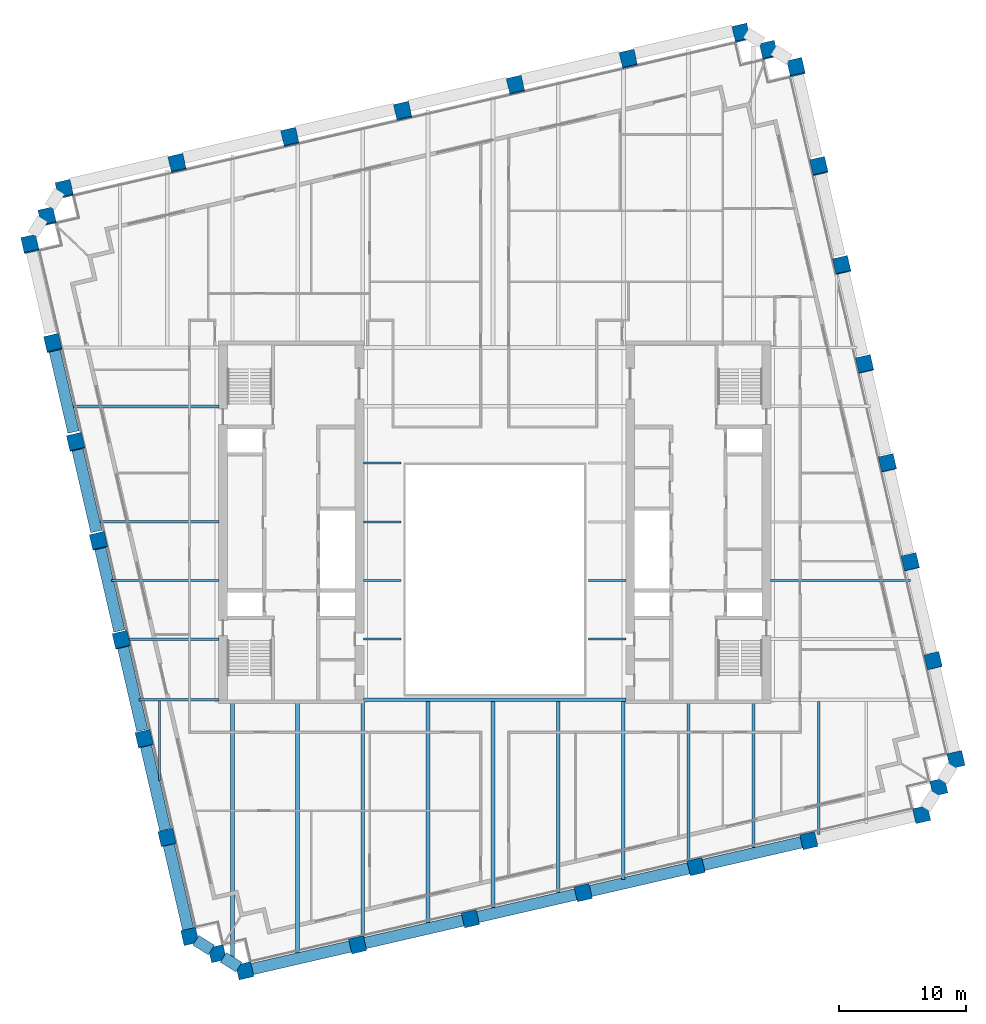
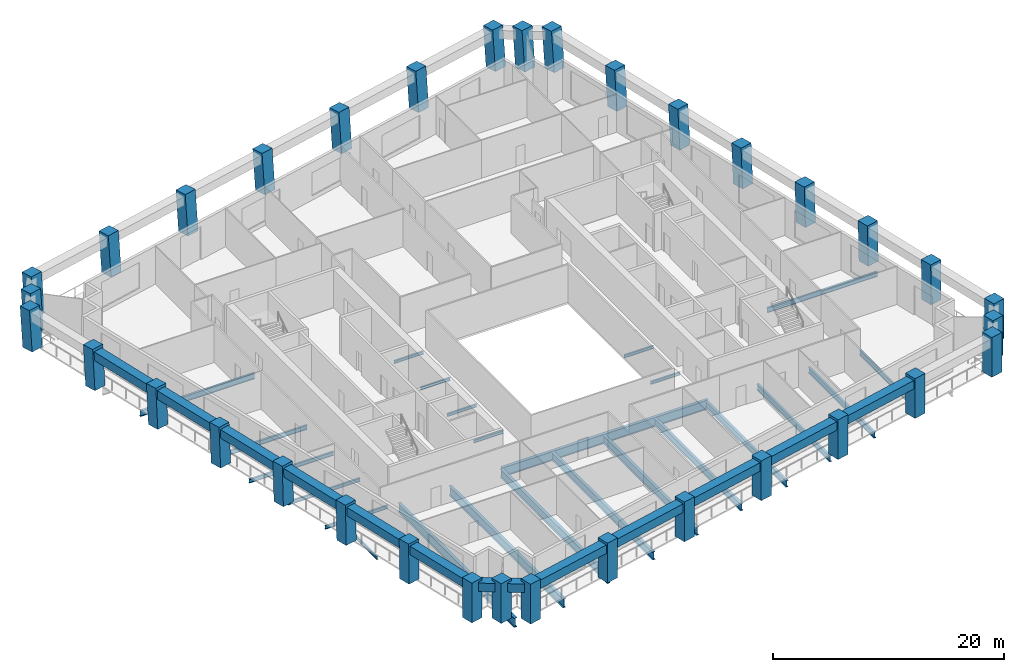
# One storey, part 1 of 10: 37 beams, 34 columns.
"""IFC4 building model written with IfcOpenShell, lengths in metres."""

import ifcopenshell
import ifcopenshell.guid

model = None  # the IFC model being written
_history = None  # IfcOwnerHistory: only IFC2X3 demands one
_inside = {}  # id of a spatial element -> (the spatial element, [elements in it])
_under = {}  # id of a project, library or spatial element -> (it, [spatial elements below it])
_declared = {}  # id of a project -> (the project, [libraries it declares])
_typed = {}  # id of a type object -> (the type object, [elements of that type])
_made_of = {}  # id of a material, layer set ... -> (it, [elements and type objects made of it])


def new_model(schema):
    """Start an empty IFC model of exactly this schema.

    Asked for "IFC4X3", IfcOpenShell would pick the latest addendum, in which some entities
    have other attributes; the version numbers below select the first issue.
    IFC2X3 requires an IfcOwnerHistory on every rooted entity: one is made here for all.
    """
    global model, _history
    if schema == "IFC4X3":
        model = ifcopenshell.file(schema_version=(4, 3, 0, 0))
    else:
        model = ifcopenshell.file(schema=schema)
    _inside.clear()
    _under.clear()
    _declared.clear()
    _typed.clear()
    _made_of.clear()
    _history = None
    if model.schema == "IFC2X3":
        org = make("IfcOrganization", Name="unknown")
        user = make(
            "IfcPersonAndOrganization",
            ThePerson=make("IfcPerson", FamilyName="unknown"),
            TheOrganization=org,
        )
        app = make(
            "IfcApplication",
            ApplicationDeveloper=org,
            Version="unknown",
            ApplicationFullName="unknown",
            ApplicationIdentifier="unknown",
        )
        _history = make(
            "IfcOwnerHistory",
            OwningUser=user,
            OwningApplication=app,
            ChangeAction="ADDED",
            CreationDate=0,
        )
    return model


def make(cls, **values):
    """One entity of the class cls with the attributes given. An attribute that is None is left unset."""
    return model.create_entity(
        cls, **{name: value for name, value in values.items() if value is not None}
    )


def rooted(cls, **values):
    """An entity with a GlobalId (a new one), such as an element, a storey or a relation."""
    return make(cls, GlobalId=ifcopenshell.guid.new(), OwnerHistory=_history, **values)


def si_unit(unit_type, name, prefix=None):
    """IfcSIUnit, for example si_unit("LENGTHUNIT", "METRE", prefix="MILLI")."""
    return make("IfcSIUnit", UnitType=unit_type, Prefix=prefix, Name=name)


def assignment(units):
    """IfcUnitAssignment: the units of a project."""
    return None if units is None else make("IfcUnitAssignment", Units=units)


def point(xyz):
    """IfcCartesianPoint."""
    return None if xyz is None else make("IfcCartesianPoint", Coordinates=xyz)


def direction(xyz):
    """IfcDirection."""
    return None if xyz is None else make("IfcDirection", DirectionRatios=xyz)


def frame(location, z_axis=None, x_axis=None):
    """IfcAxis2Placement3D, a coordinate frame: its origin and axes. An axis left out is left unset."""
    return make(
        "IfcAxis2Placement3D",
        Location=point(location),
        Axis=direction(z_axis),
        RefDirection=direction(x_axis),
    )


def frame_2d(location, x_axis=None):
    """IfcAxis2Placement2D, a coordinate frame in the plane: its origin and x axis."""
    return make(
        "IfcAxis2Placement2D", Location=point(location), RefDirection=direction(x_axis)
    )


def origin():
    """The frame at (0, 0, 0) with its axes left unset."""
    return frame((0.0, 0.0, 0.0))


def origin_2d():
    """The frame at (0, 0) in the plane with its x axis left unset."""
    return frame_2d((0.0, 0.0))


def place(relative_to, where):
    """IfcLocalPlacement: puts the frame where relative to a parent placement (None: the world)."""
    return make(
        "IfcLocalPlacement", PlacementRelTo=relative_to, RelativePlacement=where
    )


def context(
    kind, dimensions, precision=None, world=None, true_north=None, identifier=None
):
    """IfcGeometricRepresentationContext, for example the 3D "Model" context."""
    return make(
        "IfcGeometricRepresentationContext",
        ContextIdentifier=identifier,
        ContextType=kind,
        CoordinateSpaceDimension=dimensions,
        Precision=precision,
        WorldCoordinateSystem=world,
        TrueNorth=true_north,
    )


def subcontext(parent, identifier, kind, view, scale=None):
    """IfcGeometricRepresentationSubContext, for example "Body" below "Model"."""
    return make(
        "IfcGeometricRepresentationSubContext",
        ContextIdentifier=identifier,
        ContextType=kind,
        ParentContext=parent,
        TargetScale=scale,
        TargetView=view,
    )


def project(units=None, contexts=None):
    """IfcProject with its units and contexts."""
    return rooted(
        "IfcProject",
        Name="project",
        RepresentationContexts=contexts,
        UnitsInContext=assignment(units),
    )


def spatial(cls, under=None, at=None, **own):
    """A site, building, storey or space (cls), placed at a placement, below another one or the project."""
    s = rooted(cls, ObjectPlacement=at, **own)
    if under is not None:
        _under.setdefault(under.id(), (under, []))[1].append(s)
    return s


def profile(cls, at=None, kind="AREA", **sizes):
    """A parametric profile (cls). Its sizes go by their IFC names, for example OverallWidth=200.0."""
    return make(cls, ProfileType=kind, Position=at, **sizes)


def rectangle(**sizes):
    """IfcRectangleProfileDef."""
    return profile("IfcRectangleProfileDef", **sizes)


def i_section(**sizes):
    """IfcIShapeProfileDef."""
    return profile("IfcIShapeProfileDef", **sizes)


def extrude(swept, where, along, depth):
    """IfcExtrudedAreaSolid: the profile swept, set in the frame where, extruded along a direction by depth."""
    return make(
        "IfcExtrudedAreaSolid",
        SweptArea=swept,
        Position=where,
        ExtrudedDirection=direction(along),
        Depth=depth,
    )


def shape(context_of_items, identifier, shape_type, items):
    """IfcShapeRepresentation: the items that make up one representation, for example the "Body"."""
    return make(
        "IfcShapeRepresentation",
        ContextOfItems=context_of_items,
        RepresentationIdentifier=identifier,
        RepresentationType=shape_type,
        Items=items,
    )


def material(Name=None, Category=None):
    """IfcMaterial."""
    return make("IfcMaterial", Name=Name, Category=Category)


def material_profile(
    of_material, cross_section, Name=None, Category=None, Priority=None
):
    """IfcMaterialProfile: a cross section and its material."""
    return make(
        "IfcMaterialProfile",
        Name=Name,
        Material=of_material,
        Profile=cross_section,
        Priority=Priority,
        Category=Category,
    )


def profile_set(profiles, Name=None, composite=None):
    """IfcMaterialProfileSet."""
    return make(
        "IfcMaterialProfileSet",
        Name=Name,
        MaterialProfiles=profiles,
        CompositeProfile=composite,
    )


def made_of(thing, what):
    """Note that an element or type object is made of a material, layer set ...; save() writes the relation."""
    if what is not None:
        _made_of.setdefault(what.id(), (what, []))[1].append(thing)
    return thing


def type_object(cls, material=None, **own):
    """A type object (cls), such as IfcWallType, which elements share."""
    return made_of(rooted(cls, **own), material)


def element(
    cls,
    number,
    at=None,
    inside=None,
    cuts=None,
    type_object=None,
    material=None,
    context=None,
    identifier="Body",
    shape_type=None,
    held_by="IfcProductDefinitionShape",
    body=None,
    shapes=None,
    **own,
):
    """One element of the class cls, such as IfcWall. Its Tag is "e" and its number.

    at: its placement. inside: the storey or other place that contains it. cuts: it is an
    opening in that element (IfcRelVoidsElement). A single representation is given by context,
    identifier, shape_type and body (its items); several are given by shapes. held_by: the class
    of the entity that holds the representations. save() writes the other relations.
    """
    e = rooted(cls, Tag="e%d" % number, ObjectPlacement=at, **own)
    if body is not None:
        shapes = [shape(context, identifier, shape_type, body)]
    if shapes is not None:
        e.Representation = make(held_by, Representations=shapes)
    if inside is not None:
        _inside.setdefault(inside.id(), (inside, []))[1].append(e)
    if cuts is not None:
        rooted(
            "IfcRelVoidsElement", RelatingBuildingElement=cuts, RelatedOpeningElement=e
        )
    if type_object is not None:
        _typed.setdefault(type_object.id(), (type_object, []))[1].append(e)
    return made_of(e, material)


def aggregate(whole, parts):
    """IfcRelAggregates: a whole, such as a stair, and the parts it consists of."""
    return rooted("IfcRelAggregates", RelatingObject=whole, RelatedObjects=parts)


def save(model, path):
    """Write the relations noted so far, then the file.

    IfcRelAggregates (storeys below a building ...), IfcRelContainedInSpatialStructure (elements
    in a storey), IfcRelDefinesByType, IfcRelAssociatesMaterial and IfcRelDeclares: one each for
    every whole, place, type object, material and project.
    """
    for whole, parts in _under.values():
        aggregate(whole, parts)
    for where, things in _inside.values():
        rooted(
            "IfcRelContainedInSpatialStructure",
            RelatedElements=things,
            RelatingStructure=where,
        )
    for kind, things in _typed.values():
        rooted("IfcRelDefinesByType", RelatedObjects=things, RelatingType=kind)
    for what, things in _made_of.values():
        rooted("IfcRelAssociatesMaterial", RelatedObjects=things, RelatingMaterial=what)
    for by, libraries in _declared.values():
        rooted("IfcRelDeclares", RelatingContext=by, RelatedDefinitions=libraries)
    model.write(path)


model = new_model("IFC4")

# Units and contexts
model_context = context("Model", 3, precision=1e-05, world=origin(), true_north=direction((0.0, 1.0)))
body_context = subcontext(model_context, "Body", "Model", "MODEL_VIEW")
ifc_project = project(units=[si_unit("LENGTHUNIT", "METRE"), si_unit("AREAUNIT", "SQUARE_METRE"), si_unit("VOLUMEUNIT", "CUBIC_METRE"), si_unit("PLANEANGLEUNIT", "RADIAN"), si_unit("MASSUNIT", "GRAM", prefix="KILO")], contexts=[model_context])

# Site, building, storey
site_placement = place(None, origin())
site = spatial("IfcSite", under=ifc_project, at=site_placement, CompositionType="ELEMENT")
building_placement = place(site_placement, origin())
building = spatial("IfcBuilding", under=site, at=building_placement, Name="Ogive Exchange Tower", CompositionType="ELEMENT")
storey_placement = place(building_placement, frame((0.0, 0.0, 180.0)))
storey = spatial("IfcBuildingStorey", under=building, at=storey_placement, Name="L39", CompositionType="ELEMENT", Elevation=180.0)

# Columns
ifc_material_1 = material(Name="Precast concrete C70/85 (limestone faced)", Category="masonry")
ifc_material_profile_1 = material_profile(ifc_material_1, rectangle(XDim=1.199951171875, YDim=1.199951171875, at=origin_2d()), Name="1200 x 1200")
ifc_profile_set_1 = profile_set([ifc_material_profile_1], Name="Precast concrete C70/85 (limestone faced)")
column_type = type_object("IfcColumnType", Name="Precast exoskeleton leg 1200 x 1200 C70/85", PredefinedType="COLUMN", material=ifc_profile_set_1)
for number, where, z_axis, x_axis, name in (
    (1, (-19.6494140625, -23.749267578125, 0.0), (0.0, 0.0, 1.0), (0.974370064785, 0.224951054344, 0.0), "Exoskeleton leg 1"),
    (2, (-10.782470703125, -21.7021484375, 0.0), (0.0, 0.0, 1.0), (0.974370064785, 0.224951054344, 0.0), "Exoskeleton leg 2"),
    (3, (-1.915771484375, -19.655029296875, 0.0), (0.0, 0.0, 1.0), (0.974370064785, 0.224951054344, 0.0), "Exoskeleton leg 3"),
    (4, (6.950927734375, -17.60791015625, 0.0), (0.0, 0.0, 1.0), (0.974370064785, 0.224951054344, 0.0), "Exoskeleton leg 4"),
    (5, (15.81787109375, -15.56103515625, 0.0), (0.0, 0.0, 1.0), (0.974370064785, 0.224951054344, 0.0), "Exoskeleton leg 5"),
    (6, (24.6845703125, -13.513916015625, 0.0), (0.0, 0.0, 1.0), (0.974370064785, 0.224951054344, 0.0), "Exoskeleton leg 6"),
    (7, (33.55126953125, -11.466796875, 0.0), (0.0, 0.0, 1.0), (0.974370064785, 0.224951054344, 0.0), "Exoskeleton leg 7"),
    (8, (36.249267578125, -7.1494140625, 0.0), (0.0, 0.0, 1.0), (0.974370064785, 0.224951054344, 0.0), "Exoskeleton leg 8"),
):
    element("IfcColumn", number, at=place(storey_placement, frame(where, z_axis=z_axis, x_axis=x_axis)), inside=storey, type_object=column_type, Name=name, PredefinedType="COLUMN", context=body_context, shape_type="SweptSolid", body=[
        extrude(rectangle(XDim=1.199951171875, YDim=1.199951171875, at=origin_2d()), origin(), (0.0, 0.0, 1.0), 4.199951171875),
    ])
column_1_placement = place(storey_placement, frame((34.455810546875, 0.619140625, 0.0), z_axis=(-0.002731884952, 0.01168316756, 0.999928017609), x_axis=(-0.973733900744, -0.227689021567, 0.0)))
element("IfcColumn", 9, at=column_1_placement, inside=storey, type_object=column_type, Name="Exoskeleton leg 9", PredefinedType="COLUMN", context=body_context, shape_type="SweptSolid", body=[
    extrude(rectangle(XDim=1.199951171875, YDim=1.199951171875, at=origin_2d()), origin(), (0.0, 0.0, 1.0), 4.2001953125),
])
column_2_placement = place(storey_placement, frame((32.662109375, 8.3876953125, 0.0), z_axis=(-0.005404472139, 0.023419379268, 0.999711120452), x_axis=(-0.974391195695, -0.224859506699, 0.0)))
element("IfcColumn", 10, at=column_2_placement, inside=storey, type_object=column_type, Name="Exoskeleton leg 10", PredefinedType="COLUMN", context=body_context, shape_type="SweptSolid", body=[
    extrude(rectangle(XDim=1.199951171875, YDim=1.199951171875, at=origin_2d()), origin(), (0.0, 0.0, 1.0), 4.201171875),
])
column_3_placement = place(storey_placement, frame((30.86865234375, 16.15625, 0.0), z_axis=(-0.0080747472, 0.035087390713, 0.999351626541), x_axis=(-0.974526982896, -0.224270282488, 0.0)))
element("IfcColumn", 11, at=column_3_placement, inside=storey, type_object=column_type, Name="Exoskeleton leg 11", PredefinedType="COLUMN", context=body_context, shape_type="SweptSolid", body=[
    extrude(rectangle(XDim=1.199951171875, YDim=1.199951171875, at=origin_2d()), origin(), (0.0, 0.0, 1.0), 4.20263671875),
])
column_4_placement = place(storey_placement, frame((29.0751953125, 23.9248046875, 0.0), z_axis=(-0.010799619665, 0.046740289408, 0.998848694028), x_axis=(-0.974329962248, -0.225124686929, 0.0)))
element("IfcColumn", 12, at=column_4_placement, inside=storey, type_object=column_type, Name="Exoskeleton leg 12", PredefinedType="COLUMN", context=body_context, shape_type="SweptSolid", body=[
    extrude(rectangle(XDim=1.199951171875, YDim=1.199951171875, at=origin_2d()), origin(), (0.0, 0.0, 1.0), 4.204833984375),
])
column_5_placement = place(storey_placement, frame((27.28173828125, 31.693359375, 0.0), z_axis=(-0.013461799865, 0.058373149415, 0.998204064995), x_axis=(-0.974423835271, -0.224718021653, 0.0)))
element("IfcColumn", 13, at=column_5_placement, inside=storey, type_object=column_type, Name="Exoskeleton leg 13", PredefinedType="COLUMN", context=body_context, shape_type="SweptSolid", body=[
    extrude(rectangle(XDim=1.199951171875, YDim=1.199951171875, at=origin_2d()), origin(), (0.0, 0.0, 1.0), 4.20751953125),
])
column_6_placement = place(storey_placement, frame((25.48828125, 39.4619140625, 0.0), z_axis=(-0.016176212764, 0.069980963462, 0.99741716192), x_axis=(-0.974309502923, -0.225213215672, 0.0)))
element("IfcColumn", 14, at=column_6_placement, inside=storey, type_object=column_type, Name="Exoskeleton leg 14", PredefinedType="COLUMN", context=body_context, shape_type="SweptSolid", body=[
    extrude(rectangle(XDim=1.199951171875, YDim=1.199951171875, at=origin_2d()), origin(), (0.0, 0.0, 1.0), 4.2109375),
])
for number, where, z_axis, x_axis, name in (
    (15, (23.694580078125, 47.23046875, 0.0), (-0.018825755928, 0.08155896722, 0.996490705315), (-0.974379530941, -0.22491004798, 0.0), "Exoskeleton leg 15"),
    (16, (19.377197265625, 49.92822265625, 0.0), (-0.018883571463, 0.081616417765, 0.996484907603), (-0.974262845894, -0.225414966474, 0.0), "Exoskeleton leg 16"),
    (17, (10.51025390625, 47.881103515625, 0.0), (-0.018825666958, 0.081616506903, 0.99648599592), (-0.974414501624, -0.224758490439, 0.0), "Exoskeleton leg 17"),
    (18, (1.6435546875, 45.834228515625, 0.0), (-0.018825755928, 0.08155896722, 0.996490705315), (-0.974379530941, -0.22491004798, 0.0), "Exoskeleton leg 18"),
    (19, (-7.22314453125, 43.787109375, 0.0), (-0.018825666958, 0.081616506903, 0.99648599592), (-0.974414501624, -0.224758490439, 0.0), "Exoskeleton leg 19"),
    (20, (-16.090087890625, 41.739990234375, 0.0), (-0.018825666958, 0.081616506903, 0.99648599592), (-0.974414501624, -0.224758490439, 0.0), "Exoskeleton leg 20"),
    (21, (-24.956787109375, 39.693115234375, 0.0), (-0.018825755928, 0.08155896722, 0.996490705315), (-0.974379530941, -0.22491004798, 0.0), "Exoskeleton leg 21"),
    (22, (-33.823486328125, 37.64599609375, 0.0), (-0.018825755928, 0.08155896722, 0.996490705315), (-0.974379530941, -0.22491004798, 0.0), "Exoskeleton leg 22"),
    (23, (-36.521484375, 33.328369140625, 0.0), (-0.018825666958, 0.081616506903, 0.99648599592), (-0.974414501624, -0.224758490439, 0.0), "Exoskeleton leg 23"),
):
    element("IfcColumn", number, at=place(storey_placement, frame(where, z_axis=z_axis, x_axis=x_axis)), inside=storey, type_object=column_type, Name=name, PredefinedType="COLUMN", context=body_context, shape_type="SweptSolid", body=[
        extrude(rectangle(XDim=1.199951171875, YDim=1.199951171875, at=origin_2d()), origin(), (0.0, 0.0, 1.0), 4.21484375),
    ])
column_7_placement = place(storey_placement, frame((-34.727783203125, 25.559814453125, 0.0), z_axis=(-0.016176212764, 0.069980963462, 0.99741716192), x_axis=(-0.974309502923, -0.225213215672, 0.0)))
element("IfcColumn", 24, at=column_7_placement, inside=storey, type_object=column_type, Name="Exoskeleton leg 24", PredefinedType="COLUMN", context=body_context, shape_type="SweptSolid", body=[
    extrude(rectangle(XDim=1.199951171875, YDim=1.199951171875, at=origin_2d()), origin(), (0.0, 0.0, 1.0), 4.2109375),
])
column_8_placement = place(storey_placement, frame((-32.934326171875, 17.791259765625, 0.0), z_axis=(-0.013519768466, 0.058430930665, 0.998199900923), x_axis=(-0.974260583886, -0.225424742845, 0.0)))
element("IfcColumn", 25, at=column_8_placement, inside=storey, type_object=column_type, Name="Exoskeleton leg 25", PredefinedType="COLUMN", context=body_context, shape_type="SweptSolid", body=[
    extrude(rectangle(XDim=1.199951171875, YDim=1.199951171875, at=origin_2d()), origin(), (0.0, 0.0, 1.0), 4.20751953125),
])
column_9_placement = place(storey_placement, frame((-31.140869140625, 10.022705078125, 0.0), z_axis=(-0.010799619665, 0.046740289408, 0.998848694028), x_axis=(-0.974329962248, -0.225124686929, 0.0)))
element("IfcColumn", 26, at=column_9_placement, inside=storey, type_object=column_type, Name="Exoskeleton leg 26", PredefinedType="COLUMN", context=body_context, shape_type="SweptSolid", body=[
    extrude(rectangle(XDim=1.199951171875, YDim=1.199951171875, at=origin_2d()), origin(), (0.0, 0.0, 1.0), 4.204833984375),
])
column_10_placement = place(storey_placement, frame((-29.347412109375, 2.25439453125, 0.0), z_axis=(-0.008074763646, 0.035029370347, 0.999353661826), x_axis=(-0.974445638882, -0.224623455729, 0.0)))
element("IfcColumn", 27, at=column_10_placement, inside=storey, type_object=column_type, Name="Exoskeleton leg 27", PredefinedType="COLUMN", context=body_context, shape_type="SweptSolid", body=[
    extrude(rectangle(XDim=1.199951171875, YDim=1.199951171875, at=origin_2d()), origin(), (0.0, 0.0, 1.0), 4.20263671875),
])
column_11_placement = place(storey_placement, frame((-27.553955078125, -5.51416015625, 0.0), z_axis=(-0.005404479485, 0.023361298418, 0.999712479335), x_axis=(-0.974268511785, -0.225390476607, 0.0)))
element("IfcColumn", 28, at=column_11_placement, inside=storey, type_object=column_type, Name="Exoskeleton leg 28", PredefinedType="COLUMN", context=body_context, shape_type="SweptSolid", body=[
    extrude(rectangle(XDim=1.199951171875, YDim=1.199951171875, at=origin_2d()), origin(), (0.0, 0.0, 1.0), 4.201171875),
])
column_12_placement = place(storey_placement, frame((-25.760498046875, -13.28271484375, 0.0), z_axis=(-0.00267376016, 0.011683169396, 0.9999281747), x_axis=(-0.974798272484, -0.223088161862, 0.0)))
element("IfcColumn", 29, at=column_12_placement, inside=storey, type_object=column_type, Name="Exoskeleton leg 29", PredefinedType="COLUMN", context=body_context, shape_type="SweptSolid", body=[
    extrude(rectangle(XDim=1.199951171875, YDim=1.199951171875, at=origin_2d()), origin(), (0.0, 0.0, 1.0), 4.2001953125),
])
for number, where, z_axis, x_axis, name in (
    (30, (-23.966796875, -21.05126953125, 0.0), (0.0, 0.0, 1.0), (0.974370064785, 0.224951054344, 0.0), "Exoskeleton leg 30"),
    (31, (34.900146484375, -9.30810546875, 0.0), (0.0, 0.0, 1.0), (0.974370064785, 0.224951054344, 0.0), "Exoskeleton leg 31"),
):
    element("IfcColumn", number, at=place(storey_placement, frame(where, z_axis=z_axis, x_axis=x_axis)), inside=storey, type_object=column_type, Name=name, PredefinedType="COLUMN", context=body_context, shape_type="SweptSolid", body=[
        extrude(rectangle(XDim=1.199951171875, YDim=1.199951171875, at=origin_2d()), origin(), (0.0, 0.0, 1.0), 4.199951171875),
    ])
for number, where, z_axis, x_axis, name in (
    (32, (21.535888671875, 48.579345703125, 0.0), (-0.018825755928, 0.08155896722, 0.996490705315), (-0.974379530941, -0.22491004798, 0.0), "Exoskeleton leg 32"),
    (33, (-35.172607421875, 35.4873046875, 0.0), (-0.01876785096, 0.081559056022, 0.996491790308), (-0.974530989946, -0.224252869846, 0.0), "Exoskeleton leg 33"),
):
    element("IfcColumn", number, at=place(storey_placement, frame(where, z_axis=z_axis, x_axis=x_axis)), inside=storey, type_object=column_type, Name=name, PredefinedType="COLUMN", context=body_context, shape_type="SweptSolid", body=[
        extrude(rectangle(XDim=1.199951171875, YDim=1.199951171875, at=origin_2d()), origin(), (0.0, 0.0, 1.0), 4.21484375),
    ])
column_13_placement = place(storey_placement, frame((-21.80810546875, -22.400146484375, 0.0), z_axis=(0.0, 0.0, 1.0), x_axis=(0.974370064785, 0.224951054344, 0.0)))
element("IfcColumn", 34, at=column_13_placement, inside=storey, type_object=column_type, Name="Exoskeleton leg 34", PredefinedType="COLUMN", context=body_context, shape_type="SweptSolid", body=[
    extrude(rectangle(XDim=1.199951171875, YDim=1.199951171875, at=origin_2d()), origin(), (0.0, 0.0, 1.0), 4.199951171875),
])

# Beams
ifc_material_2 = material(Name="Steel ASTM A992 Gr50", Category="steel")
ifc_material_profile_2 = material_profile(ifc_material_2, i_section(OverallWidth=0.300048828125, OverallDepth=0.969970703125, WebThickness=0.01611328125, FlangeThickness=0.02099609375, at=origin_2d()), Name="W1000x222")
ifc_profile_set_2 = profile_set([ifc_material_profile_2], Name="Steel ASTM A992 Gr50")
beam_type_1 = type_object("IfcBeamType", Name="Floor beam W1000x222", PredefinedType="JOIST", material=ifc_profile_set_2)
beam_1_placement = place(storey_placement, frame((-20.619384765625, -22.762451171875, -0.68505859375), z_axis=(0.0, 1.0, 0.0), x_axis=(-1.0, 0.0, 0.0)))
element("IfcBeam", 35, at=beam_1_placement, inside=storey, type_object=beam_type_1, Name="Floor beam", PredefinedType="JOIST", context=body_context, shape_type="SweptSolid", body=[
    extrude(i_section(OverallWidth=0.300048828125, OverallDepth=0.969970703125, WebThickness=0.01611328125, FlangeThickness=0.02099609375, at=origin_2d()), origin(), (0.0, 0.0, 1.0), 20.162353515625),
])
beam_2_placement = place(storey_placement, frame((-15.49853515625, -22.3291015625, -0.68505859375), z_axis=(0.0, 1.0, 0.0), x_axis=(-1.0, 0.0, 0.0)))
element("IfcBeam", 36, at=beam_2_placement, inside=storey, type_object=beam_type_1, Name="Floor beam", PredefinedType="JOIST", context=body_context, shape_type="SweptSolid", body=[
    extrude(i_section(OverallWidth=0.300048828125, OverallDepth=0.969970703125, WebThickness=0.01611328125, FlangeThickness=0.02099609375, at=origin_2d()), origin(), (0.0, 0.0, 1.0), 19.72900390625),
])
ifc_material_profile_3 = material_profile(ifc_material_2, i_section(OverallWidth=0.1650390625, OverallDepth=0.31005859375, WebThickness=0.005859375, FlangeThickness=0.009765625, at=origin_2d()), Name="W310x38.7")
ifc_profile_set_3 = profile_set([ifc_material_profile_3], Name="Steel ASTM A992 Gr50")
beam_type_2 = type_object("IfcBeamType", Name="Floor beam W310x38.7", PredefinedType="JOIST", material=ifc_profile_set_3)
for number, where, z_axis, x_axis, name in (
    (37, (-10.320068359375, 2.3212890625, -0.35498046875), (1.0, 0.0, 0.0), (0.0, 1.0, 0.0), "Floor beam"),
    (38, (7.3701171875, 2.3212890625, -0.35498046875), (1.0, 0.0, 0.0), (0.0, 1.0, 0.0), "Floor beam"),
    (39, (-10.320068359375, 6.9326171875, -0.35498046875), (1.0, 0.0, 0.0), (0.0, 1.0, 0.0), "Floor beam"),
    (40, (7.3701171875, 6.9326171875, -0.35498046875), (1.0, 0.0, 0.0), (0.0, 1.0, 0.0), "Floor beam"),
    (41, (-10.320068359375, 11.543701171875, -0.35498046875), (1.0, 0.0, 0.0), (0.0, 1.0, 0.0), "Floor beam"),
):
    element("IfcBeam", number, at=place(storey_placement, frame(where, z_axis=z_axis, x_axis=x_axis)), inside=storey, type_object=beam_type_2, Name=name, PredefinedType="JOIST", context=body_context, shape_type="SweptSolid", body=[
        extrude(i_section(OverallWidth=0.1650390625, OverallDepth=0.31005859375, WebThickness=0.005859375, FlangeThickness=0.009765625, at=origin_2d()), origin(), (0.0, 0.0, 1.0), 2.949951171875),
    ])
beam_3_placement = place(storey_placement, frame((-26.340087890625, -8.771240234375, -0.35498046875), z_axis=(0.0, 1.0, 0.0), x_axis=(-1.0, 0.0, 0.0)))
element("IfcBeam", 42, at=beam_3_placement, inside=storey, type_object=beam_type_2, Name="Floor beam", PredefinedType="JOIST", context=body_context, shape_type="SweptSolid", body=[
    extrude(i_section(OverallWidth=0.1650390625, OverallDepth=0.31005859375, WebThickness=0.005859375, FlangeThickness=0.009765625, at=origin_2d()), origin(), (0.0, 0.0, 1.0), 6.24072265625),
])
ifc_material_profile_4 = material_profile(ifc_material_2, i_section(OverallWidth=0.1708984375, OverallDepth=0.35595703125, WebThickness=0.00732421875, FlangeThickness=0.01171875, at=origin_2d()), Name="W360x51")
ifc_profile_set_4 = profile_set([ifc_material_profile_4], Name="Steel ASTM A992 Gr50")
beam_type_3 = type_object("IfcBeamType", Name="Floor beam W360x51", PredefinedType="JOIST", material=ifc_profile_set_4)
beam_4_placement = place(storey_placement, frame((-28.90087890625, 2.3212890625, -0.3779296875), z_axis=(1.0, 0.0, 0.0), x_axis=(0.0, 1.0, 0.0)))
element("IfcBeam", 43, at=beam_4_placement, inside=storey, type_object=beam_type_3, Name="Floor beam", PredefinedType="JOIST", context=body_context, shape_type="SweptSolid", body=[
    extrude(i_section(OverallWidth=0.1708984375, OverallDepth=0.35595703125, WebThickness=0.00732421875, FlangeThickness=0.01171875, at=origin_2d()), origin(), (0.0, 0.0, 1.0), 7.220947265625),
])
ifc_material_profile_5 = material_profile(ifc_material_2, i_section(OverallWidth=0.177978515625, OverallDepth=0.406005859375, WebThickness=0.0078125, FlangeThickness=0.0126953125, at=origin_2d()), Name="W410x60")
ifc_profile_set_5 = profile_set([ifc_material_profile_5], Name="Steel ASTM A992 Gr50")
beam_type_4 = type_object("IfcBeamType", Name="Floor beam W410x60", PredefinedType="JOIST", material=ifc_profile_set_5)
beam_5_placement = place(storey_placement, frame((-30.115478515625, 6.9326171875, -0.403076171875), z_axis=(1.0, 0.0, 0.0), x_axis=(0.0, 1.0, 0.0)))
element("IfcBeam", 44, at=beam_5_placement, inside=storey, type_object=beam_type_4, Name="Floor beam", PredefinedType="JOIST", context=body_context, shape_type="SweptSolid", body=[
    extrude(i_section(OverallWidth=0.177978515625, OverallDepth=0.406005859375, WebThickness=0.0078125, FlangeThickness=0.0126953125, at=origin_2d()), origin(), (0.0, 0.0, 1.0), 8.435546875),
])
ifc_material_profile_6 = material_profile(ifc_material_2, i_section(OverallWidth=0.19091796875, OverallDepth=0.45703125, WebThickness=0.009033203125, FlangeThickness=0.014404296875, at=origin_2d()), Name="W460x74")
ifc_profile_set_6 = profile_set([ifc_material_profile_6], Name="Steel ASTM A992 Gr50")
beam_type_5 = type_object("IfcBeamType", Name="Floor beam W460x74", PredefinedType="JOIST", material=ifc_profile_set_6)
beam_6_placement = place(storey_placement, frame((-31.0302734375, 11.543701171875, -0.428466796875), z_axis=(1.0, 0.0, 0.0), x_axis=(0.0, 1.0, 0.0)))
element("IfcBeam", 45, at=beam_6_placement, inside=storey, type_object=beam_type_5, Name="Floor beam", PredefinedType="JOIST", context=body_context, shape_type="SweptSolid", body=[
    extrude(i_section(OverallWidth=0.19091796875, OverallDepth=0.45703125, WebThickness=0.009033203125, FlangeThickness=0.014404296875, at=origin_2d()), origin(), (0.0, 0.0, 1.0), 9.350341796875),
])
ifc_material_profile_7 = material_profile(ifc_material_2, i_section(OverallWidth=0.1669921875, OverallDepth=0.535888671875, WebThickness=0.01025390625, FlangeThickness=0.0166015625, at=origin_2d()), Name="W530x85")
ifc_profile_set_7 = profile_set([ifc_material_profile_7], Name="Steel ASTM A992 Gr50")
beam_type_6 = type_object("IfcBeamType", Name="Floor beam W530x85", PredefinedType="JOIST", material=ifc_profile_set_7)
beam_7_placement = place(storey_placement, frame((21.679931640625, 6.9326171875, -0.468017578125), z_axis=(1.0, 0.0, 0.0), x_axis=(0.0, 1.0, 0.0)))
element("IfcBeam", 46, at=beam_7_placement, inside=storey, type_object=beam_type_6, Name="Floor beam", PredefinedType="JOIST", context=body_context, shape_type="SweptSolid", body=[
    extrude(i_section(OverallWidth=0.1669921875, OverallDepth=0.535888671875, WebThickness=0.01025390625, FlangeThickness=0.0166015625, at=origin_2d()), origin(), (0.0, 0.0, 1.0), 11.00634765625),
])
beam_8_placement = place(storey_placement, frame((25.468017578125, -13.021240234375, -0.468017578125), z_axis=(0.0, 1.0, 0.0), x_axis=(-1.0, 0.0, 0.0)))
element("IfcBeam", 47, at=beam_8_placement, inside=storey, type_object=beam_type_6, Name="Floor beam", PredefinedType="JOIST", context=body_context, shape_type="SweptSolid", body=[
    extrude(i_section(OverallWidth=0.1669921875, OverallDepth=0.535888671875, WebThickness=0.01025390625, FlangeThickness=0.0166015625, at=origin_2d()), origin(), (0.0, 0.0, 1.0), 10.442626953125),
])
ifc_material_profile_8 = material_profile(ifc_material_2, i_section(OverallWidth=0.22802734375, OverallDepth=0.60205078125, WebThickness=0.010498046875, FlangeThickness=0.014892578125, at=origin_2d()), Name="W610x101")
ifc_profile_set_8 = profile_set([ifc_material_profile_8], Name="Steel ASTM A992 Gr50")
beam_type_7 = type_object("IfcBeamType", Name="Floor beam W610x101", PredefinedType="JOIST", material=ifc_profile_set_8)
beam_9_placement = place(storey_placement, frame((-33.126220703125, 20.62255859375, -0.5009765625), z_axis=(1.0, 0.0, 0.0), x_axis=(0.0, 1.0, 0.0)))
element("IfcBeam", 48, at=beam_9_placement, inside=storey, type_object=beam_type_7, Name="Floor beam", PredefinedType="JOIST", context=body_context, shape_type="SweptSolid", body=[
    extrude(i_section(OverallWidth=0.22802734375, OverallDepth=0.60205078125, WebThickness=0.010498046875, FlangeThickness=0.014892578125, at=origin_2d()), origin(), (0.0, 0.0, 1.0), 11.4462890625),
])
beam_10_placement = place(storey_placement, frame((15.226318359375, -15.235595703125, -0.5009765625), z_axis=(0.0, 1.0, 0.0), x_axis=(-1.0, 0.0, 0.0)))
element("IfcBeam", 49, at=beam_10_placement, inside=storey, type_object=beam_type_7, Name="Floor beam", PredefinedType="JOIST", context=body_context, shape_type="SweptSolid", body=[
    extrude(i_section(OverallWidth=0.22802734375, OverallDepth=0.60205078125, WebThickness=0.010498046875, FlangeThickness=0.014892578125, at=origin_2d()), origin(), (0.0, 0.0, 1.0), 12.635498046875),
])
beam_11_placement = place(storey_placement, frame((20.34716796875, -14.053466796875, -0.5009765625), z_axis=(0.0, 1.0, 0.0), x_axis=(-1.0, 0.0, 0.0)))
element("IfcBeam", 50, at=beam_11_placement, inside=storey, type_object=beam_type_7, Name="Floor beam", PredefinedType="JOIST", context=body_context, shape_type="SweptSolid", body=[
    extrude(i_section(OverallWidth=0.22802734375, OverallDepth=0.60205078125, WebThickness=0.010498046875, FlangeThickness=0.014892578125, at=origin_2d()), origin(), (0.0, 0.0, 1.0), 11.453369140625),
])
ifc_material_profile_9 = material_profile(ifc_material_2, i_section(OverallWidth=0.25390625, OverallDepth=0.677978515625, WebThickness=0.01171875, FlangeThickness=0.016357421875, at=origin_2d()), Name="W690x125")
ifc_profile_set_9 = profile_set([ifc_material_profile_9], Name="Steel ASTM A992 Gr50")
beam_type_8 = type_object("IfcBeamType", Name="Floor beam W690x125", PredefinedType="JOIST", material=ifc_profile_set_9)
beam_12_placement = place(storey_placement, frame((10.10546875, -16.56787109375, -0.5390625), z_axis=(0.0, 1.0, 0.0), x_axis=(-1.0, 0.0, 0.0)))
element("IfcBeam", 51, at=beam_12_placement, inside=storey, type_object=beam_type_8, Name="Floor beam", PredefinedType="JOIST", context=body_context, shape_type="SweptSolid", body=[
    extrude(i_section(OverallWidth=0.25390625, OverallDepth=0.677978515625, WebThickness=0.01171875, FlangeThickness=0.016357421875, at=origin_2d()), origin(), (0.0, 0.0, 1.0), 13.972900390625),
])
ifc_material_profile_10 = material_profile(ifc_material_2, i_section(OverallWidth=0.26708984375, OverallDepth=0.75390625, WebThickness=0.01318359375, FlangeThickness=0.01708984375, at=origin_2d()), Name="W760x147")
ifc_profile_set_10 = profile_set([ifc_material_profile_10], Name="Steel ASTM A992 Gr50")
beam_type_9 = type_object("IfcBeamType", Name="Floor beam W760x147", PredefinedType="JOIST", material=ifc_profile_set_10)
beam_13_placement = place(storey_placement, frame((4.984619140625, -17.60009765625, -0.576904296875), z_axis=(0.0, 1.0, 0.0), x_axis=(-1.0, 0.0, 0.0)))
element("IfcBeam", 52, at=beam_13_placement, inside=storey, type_object=beam_type_9, Name="Floor beam", PredefinedType="JOIST", context=body_context, shape_type="SweptSolid", body=[
    extrude(i_section(OverallWidth=0.26708984375, OverallDepth=0.75390625, WebThickness=0.01318359375, FlangeThickness=0.01708984375, at=origin_2d()), origin(), (0.0, 0.0, 1.0), 15.005126953125),
])
ifc_material_profile_11 = material_profile(ifc_material_2, i_section(OverallWidth=0.2919921875, OverallDepth=0.8359375, WebThickness=0.013916015625, FlangeThickness=0.018798828125, at=origin_2d()), Name="W840x176")
ifc_profile_set_11 = profile_set([ifc_material_profile_11], Name="Steel ASTM A992 Gr50")
beam_type_10 = type_object("IfcBeamType", Name="Floor beam W840x176", PredefinedType="JOIST", material=ifc_profile_set_11)
beam_14_placement = place(storey_placement, frame((-5.2568359375, -20.114501953125, -0.617919921875), z_axis=(0.0, 1.0, 0.0), x_axis=(-1.0, 0.0, 0.0)))
element("IfcBeam", 53, at=beam_14_placement, inside=storey, type_object=beam_type_10, Name="Floor beam", PredefinedType="JOIST", context=body_context, shape_type="SweptSolid", body=[
    extrude(i_section(OverallWidth=0.2919921875, OverallDepth=0.8359375, WebThickness=0.013916015625, FlangeThickness=0.018798828125, at=origin_2d()), origin(), (0.0, 0.0, 1.0), 17.51953125),
])
beam_15_placement = place(storey_placement, frame((-0.135986328125, -18.782470703125, -0.617919921875), z_axis=(0.0, 1.0, 0.0), x_axis=(-1.0, 0.0, 0.0)))
element("IfcBeam", 54, at=beam_15_placement, inside=storey, type_object=beam_type_10, Name="Floor beam", PredefinedType="JOIST", context=body_context, shape_type="SweptSolid", body=[
    extrude(i_section(OverallWidth=0.2919921875, OverallDepth=0.8359375, WebThickness=0.013916015625, FlangeThickness=0.018798828125, at=origin_2d()), origin(), (0.0, 0.0, 1.0), 16.1875),
])
ifc_material_profile_12 = material_profile(ifc_material_2, i_section(OverallWidth=0.304931640625, OverallDepth=0.904052734375, WebThickness=0.01513671875, FlangeThickness=0.02001953125, at=origin_2d()), Name="W920x201")
ifc_profile_set_12 = profile_set([ifc_material_profile_12], Name="Steel ASTM A992 Gr50")
beam_type_11 = type_object("IfcBeamType", Name="Floor beam W920x201", PredefinedType="JOIST", material=ifc_profile_set_12)
beam_16_placement = place(storey_placement, frame((-10.377685546875, -21.146728515625, -0.652099609375), z_axis=(0.0, 1.0, 0.0), x_axis=(-1.0, 0.0, 0.0)))
element("IfcBeam", 55, at=beam_16_placement, inside=storey, type_object=beam_type_11, Name="Floor beam", PredefinedType="JOIST", context=body_context, shape_type="SweptSolid", body=[
    extrude(i_section(OverallWidth=0.304931640625, OverallDepth=0.904052734375, WebThickness=0.01513671875, FlangeThickness=0.02001953125, at=origin_2d()), origin(), (0.0, 0.0, 1.0), 18.546630859375),
])
ifc_material_profile_13 = material_profile(ifc_material_2, i_section(OverallWidth=0.300048828125, OverallDepth=0.97998046875, WebThickness=0.0166015625, FlangeThickness=0.026123046875, at=origin_2d()), Name="W1000x249")
ifc_profile_set_13 = profile_set([ifc_material_profile_13], Name="Steel ASTM A992 Gr50")
beam_type_12 = type_object("IfcBeamType", Name="Girder W1000x249", PredefinedType="BEAM", material=ifc_profile_set_13)
beam_17_placement = place(storey_placement, frame((-10.320068359375, -2.445068359375, -0.68994140625), z_axis=(1.0, 0.0, 0.0), x_axis=(0.0, 1.0, 0.0)))
element("IfcBeam", 56, at=beam_17_placement, inside=storey, type_object=beam_type_12, Name="Header girder", PredefinedType="BEAM", context=body_context, shape_type="SweptSolid", body=[
    extrude(i_section(OverallWidth=0.300048828125, OverallDepth=0.97998046875, WebThickness=0.0166015625, FlangeThickness=0.026123046875, at=origin_2d()), origin(), (0.0, 0.0, 1.0), 20.64013671875),
])
ifc_material_profile_14 = material_profile(ifc_material_2, i_section(OverallWidth=0.1650390625, OverallDepth=0.31005859375, WebThickness=0.005859375, FlangeThickness=0.009765625, at=origin_2d()), Name="W310x38.7")
ifc_profile_set_14 = profile_set([ifc_material_profile_14], Name="Steel ASTM A992 Gr50")
beam_type_13 = type_object("IfcBeamType", Name="Girder W310x38.7", PredefinedType="BEAM", material=ifc_profile_set_14)
beam_18_placement = place(storey_placement, frame((-10.320068359375, 16.155029296875, -0.35498046875), z_axis=(1.0, 0.0, 0.0), x_axis=(0.0, 1.0, 0.0)))
element("IfcBeam", 57, at=beam_18_placement, inside=storey, type_object=beam_type_13, Name="Trimmer girder", PredefinedType="BEAM", context=body_context, shape_type="SweptSolid", body=[
    extrude(i_section(OverallWidth=0.1650390625, OverallDepth=0.31005859375, WebThickness=0.005859375, FlangeThickness=0.009765625, at=origin_2d()), origin(), (0.0, 0.0, 1.0), 2.949951171875),
])
ifc_material_profile_15 = material_profile(ifc_material_2, i_section(OverallWidth=0.1708984375, OverallDepth=0.35595703125, WebThickness=0.00732421875, FlangeThickness=0.01171875, at=origin_2d()), Name="W360x51")
ifc_profile_set_15 = profile_set([ifc_material_profile_15], Name="Steel ASTM A992 Gr50")
beam_type_14 = type_object("IfcBeamType", Name="Girder W360x51", PredefinedType="BEAM", material=ifc_profile_set_15)
beam_19_placement = place(storey_placement, frame((-27.95068359375, -2.445068359375, -0.3779296875), z_axis=(1.0, 0.0, 0.0), x_axis=(0.0, 1.0, 0.0)))
element("IfcBeam", 58, at=beam_19_placement, inside=storey, type_object=beam_type_14, Name="Header girder", PredefinedType="BEAM", context=body_context, shape_type="SweptSolid", body=[
    extrude(i_section(OverallWidth=0.1708984375, OverallDepth=0.35595703125, WebThickness=0.00732421875, FlangeThickness=0.01171875, at=origin_2d()), origin(), (0.0, 0.0, 1.0), 6.270751953125),
])
ifc_material_profile_16 = material_profile(ifc_material_1, rectangle(XDim=0.89990234375, YDim=0.89990234375, at=origin_2d()), Name="900 x 900")
ifc_profile_set_16 = profile_set([ifc_material_profile_16], Name="Precast concrete C70/85 (limestone faced)")
beam_type_15 = type_object("IfcBeamType", Name="Precast spandrel 900 x 900 C70/85", PredefinedType="SPANDREL", material=ifc_profile_set_16)
beam_20_placement = place(storey_placement, frame((-19.084228515625, -23.61865234375, 3.5), z_axis=(0.974369944206, 0.224951576629, 0.0), x_axis=(-0.224951576629, 0.974369944206, 0.0)))
element("IfcBeam", 59, at=beam_20_placement, inside=storey, type_object=beam_type_15, Name="Spandrel 1", PredefinedType="SPANDREL", context=body_context, shape_type="SweptSolid", body=[
    extrude(rectangle(XDim=0.89990234375, YDim=0.89990234375, at=origin_2d()), origin(), (0.0, 0.0, 1.0), 7.940185546875),
])
beam_21_placement = place(storey_placement, frame((-10.21728515625, -21.57177734375, 3.5), z_axis=(0.974368388194, 0.224958316335, 0.0), x_axis=(-0.224958316335, 0.974368388194, 0.0)))
element("IfcBeam", 60, at=beam_21_placement, inside=storey, type_object=beam_type_15, Name="Spandrel 2", PredefinedType="SPANDREL", context=body_context, shape_type="SweptSolid", body=[
    extrude(rectangle(XDim=0.89990234375, YDim=0.89990234375, at=origin_2d()), origin(), (0.0, 0.0, 1.0), 7.93994140625),
])
for number, where, z_axis, x_axis, name in (
    (61, (-1.3505859375, -19.524658203125, 3.5), (0.974369944206, 0.224951576629, 0.0), (-0.224951576629, 0.974369944206, 0.0), "Spandrel 3"),
    (62, (7.51611328125, -17.4775390625, 3.5), (0.974369944206, 0.224951576629, 0.0), (-0.224951576629, 0.974369944206, 0.0), "Spandrel 4"),
    (63, (16.3828125, -15.430419921875, 3.5), (0.974369944206, 0.224951576629, 0.0), (-0.224951576629, 0.974369944206, 0.0), "Spandrel 5"),
):
    element("IfcBeam", number, at=place(storey_placement, frame(where, z_axis=z_axis, x_axis=x_axis)), inside=storey, type_object=beam_type_15, Name=name, PredefinedType="SPANDREL", context=body_context, shape_type="SweptSolid", body=[
        extrude(rectangle(XDim=0.89990234375, YDim=0.89990234375, at=origin_2d()), origin(), (0.0, 0.0, 1.0), 7.940185546875),
    ])
beam_22_placement = place(storey_placement, frame((-34.66552734375, 25.28955078125, 3.5), z_axis=(0.224953030258, -0.974369608607, 0.0), x_axis=(0.974369608607, 0.224953030258, 0.0)))
element("IfcBeam", 64, at=beam_22_placement, inside=storey, type_object=beam_type_15, Name="Spandrel 27", PredefinedType="SPANDREL", context=body_context, shape_type="SweptSolid", body=[
    extrude(rectangle(XDim=0.89990234375, YDim=0.89990234375, at=origin_2d()), origin(), (0.0, 0.0, 1.0), 6.863525390625),
])
beam_23_placement = place(storey_placement, frame((-32.860595703125, 17.4716796875, 3.5), z_axis=(0.224960827306, -0.974367808467, 0.0), x_axis=(0.974367808467, 0.224960827306, 0.0)))
element("IfcBeam", 65, at=beam_23_placement, inside=storey, type_object=beam_type_15, Name="Spandrel 28", PredefinedType="SPANDREL", context=body_context, shape_type="SweptSolid", body=[
    extrude(rectangle(XDim=0.89990234375, YDim=0.89990234375, at=origin_2d()), origin(), (0.0, 0.0, 1.0), 6.86328125),
])
beam_24_placement = place(storey_placement, frame((-31.055908203125, 9.654296875, 3.5), z_axis=(0.224953030258, -0.974369608607, 0.0), x_axis=(0.974369608607, 0.224953030258, 0.0)))
element("IfcBeam", 66, at=beam_24_placement, inside=storey, type_object=beam_type_15, Name="Spandrel 29", PredefinedType="SPANDREL", context=body_context, shape_type="SweptSolid", body=[
    extrude(rectangle(XDim=0.89990234375, YDim=0.89990234375, at=origin_2d()), origin(), (0.0, 0.0, 1.0), 6.863525390625),
])
for number, where, z_axis, x_axis, name in (
    (67, (-29.2509765625, 1.83642578125, 3.5), (0.224960827306, -0.974367808467, 0.0), (0.974367808467, 0.224960827306, 0.0), "Spandrel 30"),
    (68, (-27.446044921875, -5.981201171875, 3.5), (0.224960827306, -0.974367808467, 0.0), (0.974367808467, 0.224960827306, 0.0), "Spandrel 31"),
):
    element("IfcBeam", number, at=place(storey_placement, frame(where, z_axis=z_axis, x_axis=x_axis)), inside=storey, type_object=beam_type_15, Name=name, PredefinedType="SPANDREL", context=body_context, shape_type="SweptSolid", body=[
        extrude(rectangle(XDim=0.89990234375, YDim=0.89990234375, at=origin_2d()), origin(), (0.0, 0.0, 1.0), 6.86328125),
    ])
beam_25_placement = place(storey_placement, frame((-25.64111328125, -13.798828125, 3.5), z_axis=(0.224927054581, -0.974375605256, 0.0), x_axis=(0.974375605256, 0.224927054581, 0.0)))
element("IfcBeam", 69, at=beam_25_placement, inside=storey, type_object=beam_type_15, Name="Spandrel 32", PredefinedType="SPANDREL", context=body_context, shape_type="SweptSolid", body=[
    extrude(rectangle(XDim=0.89990234375, YDim=0.89990234375, at=origin_2d()), origin(), (0.0, 0.0, 1.0), 6.863037109375),
])
for number, where, z_axis, x_axis, name in (
    (70, (-23.501708984375, -21.342041015625, 3.5), (0.848074041941, -0.529877740036, 0.0), (0.529877740036, 0.848074041941, 0.0), "Spandrel 33"),
    (71, (-21.343017578125, -22.69091796875, 3.5), (0.848074041941, -0.529877740036, 0.0), (0.529877740036, 0.848074041941, 0.0), "Spandrel 34"),
):
    element("IfcBeam", number, at=place(storey_placement, frame(where, z_axis=z_axis, x_axis=x_axis)), inside=storey, type_object=beam_type_15, Name=name, PredefinedType="SPANDREL", context=body_context, shape_type="SweptSolid", body=[
        extrude(rectangle(XDim=0.89990234375, YDim=0.89990234375, at=origin_2d()), origin(), (0.0, 0.0, 1.0), 1.448486328125),
    ])

save(model, "model.ifc")
